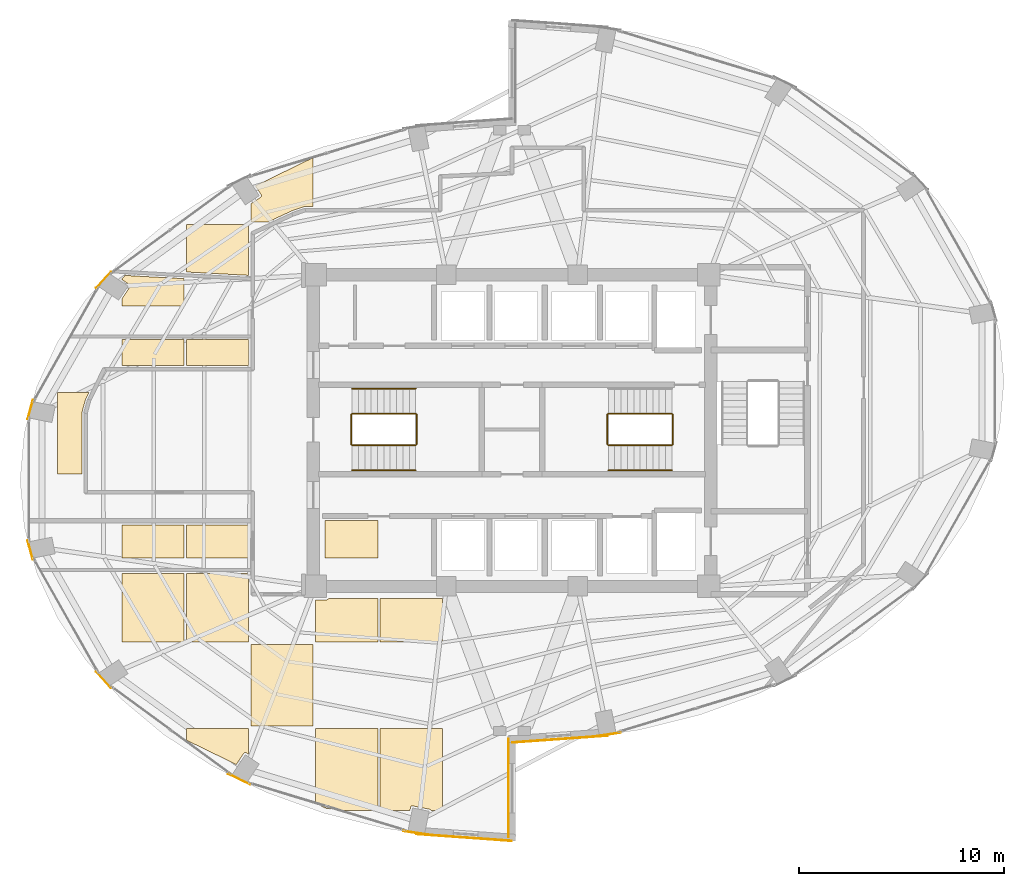
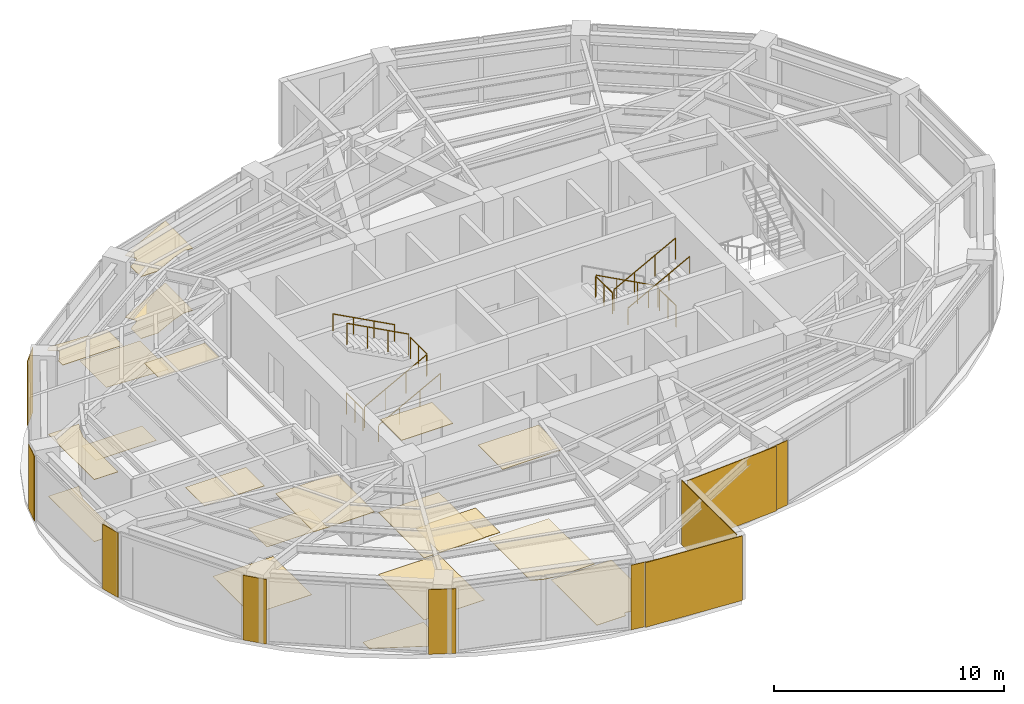
# One storey, part 19 of 20: 30 coverings, 11 railings.
"""IFC4 building model written with IfcOpenShell, lengths in metres."""

from ifc_helpers import new_model, si_unit, direction, frame, origin, origin_2d, place, context, subcontext, project, spatial, polyline, rectangle, circle, outline, extrude, material, layer, layer_set, type_object, element, save


model = new_model("IFC4")

# Units and contexts
model_context = context("Model", 3, precision=1e-05, world=origin(), true_north=direction((0.0, 1.0)))
body_context = subcontext(model_context, "Body", "Model", "MODEL_VIEW")
ifc_project = project(units=[si_unit("LENGTHUNIT", "METRE"), si_unit("AREAUNIT", "SQUARE_METRE"), si_unit("VOLUMEUNIT", "CUBIC_METRE"), si_unit("PLANEANGLEUNIT", "RADIAN"), si_unit("MASSUNIT", "GRAM", prefix="KILO")], contexts=[model_context])

# Site, building, storey
site_placement = place(None, origin())
site = spatial("IfcSite", under=ifc_project, at=site_placement, CompositionType="ELEMENT")
building_placement = place(site_placement, origin())
building = spatial("IfcBuilding", under=site, at=building_placement, Name="Lazwardi Medical Tower", CompositionType="ELEMENT")
storey_placement = place(building_placement, frame((0.0, 0.0, 174.76806640625)))
storey = spatial("IfcBuildingStorey", under=building, at=storey_placement, Name="L45", CompositionType="ELEMENT", Elevation=174.76806640625)

# Coverings
ifc_material_1 = material(Name="Anodised bronze aluminium cassette cladding", Category="aluminium")
ifc_layer_1 = layer(ifc_material_1, 0.030029296875)
ifc_layer_set_1 = layer_set([ifc_layer_1], Name="Anodised bronze aluminium cassette cladding")
covering_type_1 = type_object("IfcCoveringType", Name="COV-CLD-BRZ", PredefinedType="CLADDING", material=ifc_layer_set_1)
covering_1_placement = place(storey_placement, frame((40.67431640625, 13.17578125, 0.0), z_axis=(0.0, 0.0, 1.0), x_axis=(0.989539138138, 0.144264666823, 0.0)))
element("IfcCovering", 1, at=covering_1_placement, inside=storey, type_object=covering_type_1, Name="L45 Mega-column bronze cassette cover M01", PredefinedType="CLADDING", context=body_context, shape_type="SweptSolid", body=[
    extrude(rectangle(XDim=1.28515625, YDim=0.030029296875, at=origin_2d()), origin(), (0.0, 0.0, 1.0), 3.427978515625),
])
covering_2_placement = place(storey_placement, frame((16.07861328125, 35.356689453125, 0.0), z_axis=(0.0, 0.0, 1.0), x_axis=(-0.673714459537, -0.738991763832, 0.0)))
element("IfcCovering", 2, at=covering_2_placement, inside=storey, type_object=covering_type_1, Name="L45 Mega-column bronze cassette cover M11", PredefinedType="CLADDING", context=body_context, shape_type="SweptSolid", body=[
    extrude(rectangle(XDim=1.0693359375, YDim=0.030029296875, at=origin_2d()), origin(), (0.0, 0.0, 1.0), 3.427978515625),
])
for number, where, z_axis, x_axis, name in (
    (3, (12.501220703125, 29.026123046875, 0.0), (0.0, 0.0, 1.0), (-0.261828726257, -0.965114354938, 0.0), "L45 Mega-column bronze cassette cover M12"),
    (4, (12.501220703125, 22.173828125, 0.0), (0.0, 0.0, 1.0), (0.261828726257, -0.965114354938, 0.0), "L45 Mega-column bronze cassette cover M13"),
):
    element("IfcCovering", number, at=place(storey_placement, frame(where, z_axis=z_axis, x_axis=x_axis)), inside=storey, type_object=covering_type_1, Name=name, PredefinedType="CLADDING", context=body_context, shape_type="SweptSolid", body=[
        extrude(rectangle(XDim=0.9658203125, YDim=0.030029296875, at=origin_2d()), origin(), (0.0, 0.0, 1.0), 3.427978515625),
    ])
covering_3_placement = place(storey_placement, frame((16.07861328125, 15.84326171875, 0.0), z_axis=(0.0, 0.0, 1.0), x_axis=(0.673714459537, -0.738991763832, 0.0)))
element("IfcCovering", 5, at=covering_3_placement, inside=storey, type_object=covering_type_1, Name="L45 Mega-column bronze cassette cover M14", PredefinedType="CLADDING", context=body_context, shape_type="SweptSolid", body=[
    extrude(rectangle(XDim=1.0693359375, YDim=0.030029296875, at=origin_2d()), origin(), (0.0, 0.0, 1.0), 3.427978515625),
])
covering_4_placement = place(storey_placement, frame((22.68896484375, 10.998046875, 0.0), z_axis=(0.0, 0.0, 1.0), x_axis=(0.898079014814, -0.439834154144, 0.0)))
element("IfcCovering", 6, at=covering_4_placement, inside=storey, type_object=covering_type_1, Name="L45 Mega-column bronze cassette cover M15", PredefinedType="CLADDING", context=body_context, shape_type="SweptSolid", body=[
    extrude(rectangle(XDim=1.200439453125, YDim=0.030029296875, at=origin_2d()), origin(), (0.0, 0.0, 1.0), 3.427978515625),
])
covering_5_placement = place(storey_placement, frame((31.32568359375, 8.3759765625, 0.0), z_axis=(0.0, 0.0, 1.0), x_axis=(0.989539138138, -0.144264666823, 0.0)))
element("IfcCovering", 7, at=covering_5_placement, inside=storey, type_object=covering_type_1, Name="L45 Mega-column bronze cassette cover M16", PredefinedType="CLADDING", context=body_context, shape_type="SweptSolid", body=[
    extrude(rectangle(XDim=1.28515625, YDim=0.030029296875, at=origin_2d()), origin(), (0.0, 0.0, 1.0), 3.427978515625),
])
ifc_material_2 = material(Name="Turquoise glazed ceramic tilework cladding", Category="masonry")
ifc_layer_2 = layer(ifc_material_2, 0.034912109375)
ifc_layer_set_2 = layer_set([ifc_layer_2], Name="Turquoise glazed ceramic tilework cladding")
covering_type_2 = type_object("IfcCoveringType", Name="COV-CLD-TRQ", PredefinedType="CLADDING", material=ifc_layer_set_2)
covering_6_placement = place(storey_placement, frame((38.338134765625, 12.952392578125, 0.0), z_axis=(0.0, 0.0, 1.0), x_axis=(0.997414510753, 0.071863020663, 0.0)))
element("IfcCovering", 8, at=covering_6_placement, inside=storey, type_object=covering_type_2, Name="L45 Turquoise glazed ceramic tilework cladding", PredefinedType="CLADDING", context=body_context, shape_type="SweptSolid", body=[
    extrude(rectangle(XDim=4.6630859375, YDim=0.034912109375, at=origin_2d()), origin(), (0.0, 0.0, 1.0), 3.427978515625),
])
covering_7_placement = place(storey_placement, frame((33.66162109375, 8.152587890625, 0.0), z_axis=(0.0, 0.0, 1.0), x_axis=(0.997414134466, -0.071868243112, 0.0)))
element("IfcCovering", 9, at=covering_7_placement, inside=storey, type_object=covering_type_2, Name="L45 Turquoise glazed ceramic tilework cladding", PredefinedType="CLADDING", context=body_context, shape_type="SweptSolid", body=[
    extrude(rectangle(XDim=4.66259765625, YDim=0.034912109375, at=origin_2d()), origin(), (0.0, 0.0, 1.0), 3.427978515625),
])
covering_8_placement = place(storey_placement, frame((35.824462890625, 10.56005859375, 0.0), z_axis=(0.0, 0.0, 1.0), x_axis=(0.0, 1.0, 0.0)))
element("IfcCovering", 10, at=covering_8_placement, inside=storey, type_object=covering_type_2, Name="L45 Turquoise glazed ceramic tilework iwan panel", PredefinedType="CLADDING", context=body_context, shape_type="SweptSolid", body=[
    extrude(rectangle(XDim=4.800048828125, YDim=0.034912109375, at=origin_2d()), origin(), (0.0, 0.0, 1.0), 3.427978515625),
])
ifc_material_3 = material(Name="Acoustic mineral fibre tile")
ifc_layer_3 = layer(ifc_material_3, 0.02490234375)
ifc_layer_set_3 = layer_set([ifc_layer_3], Name="Acoustic mineral fibre tile")
covering_type_3 = type_object("IfcCoveringType", Name="COV-CLG-01", PredefinedType="CEILING", material=ifc_layer_set_3)
covering_9_placement = place(storey_placement, frame((0.0, 0.0, 3.282958984375)))
element("IfcCovering", 11, at=covering_9_placement, inside=storey, type_object=covering_type_3, Name="L45 Clinical Acoustic Ceiling 1", PredefinedType="CEILING", context=body_context, shape_type="SweptSolid", body=[
    extrude(outline(polyline([(15.02490234375, 25.882568359375), (15.02490234375, 28.881103515625), (15.025146484375, 28.884765625), (15.025390625, 28.8935546875), (15.026123046875, 28.90087890625), (15.02734375, 28.90966796875), (15.02880859375, 28.91650390625), (15.03076171875, 28.92529296875), (15.031494140625, 28.928955078125), (15.199462890625, 29.519775390625), (15.200439453125, 29.523193359375), (15.203125, 29.531005859375), (15.20556640625, 29.53759765625), (15.208984375, 29.545166015625), (15.210205078125, 29.548095703125), (15.362548828125, 29.862548828125), (13.822998046875, 29.862548828125), (13.822998046875, 25.882568359375), (15.02490234375, 25.882568359375)])), origin(), (0.0, 0.0, 1.0), 0.02490234375),
])
covering_10_placement = place(storey_placement, frame((0.0, 0.0, 3.282958984375)))
element("IfcCovering", 12, at=covering_10_placement, inside=storey, type_object=covering_type_3, Name="L45 Clinical Acoustic Ceiling 2", PredefinedType="CEILING", context=body_context, shape_type="SweptSolid", body=[
    extrude(outline(polyline([(20.0029296875, 23.39990234375), (16.972900390625, 23.39990234375), (16.972900390625, 21.782470703125), (20.0029296875, 21.782470703125), (20.0029296875, 23.39990234375)])), origin(), (0.0, 0.0, 1.0), 0.02490234375),
])
covering_11_placement = place(storey_placement, frame((0.0, 0.0, 3.282958984375)))
element("IfcCovering", 13, at=covering_11_placement, inside=storey, type_object=covering_type_3, Name="L45 Clinical Acoustic Ceiling 3", PredefinedType="CEILING", context=body_context, shape_type="SweptSolid", body=[
    extrude(outline(polyline([(20.0029296875, 35.41552734375), (17.121826171875, 35.572021484375), (16.972900390625, 35.408935546875), (16.972900390625, 35.371337890625), (17.34228515625, 35.124267578125), (17.348876953125, 35.11962890625), (17.3544921875, 35.114501953125), (17.35986328125, 35.1083984375), (17.364501953125, 35.102294921875), (17.36865234375, 35.095458984375), (17.371826171875, 35.08837890625), (17.37451171875, 35.0810546875), (17.37646484375, 35.073486328125), (17.377685546875, 35.065673828125), (17.3779296875, 35.057861328125), (17.377685546875, 35.050048828125), (17.37646484375, 35.042236328125), (17.37451171875, 35.03466796875), (17.371826171875, 35.027099609375), (17.36865234375, 35.02001953125), (17.364501953125, 35.013427734375), (16.972900390625, 34.42724609375), (16.972900390625, 34.08251953125), (20.0029296875, 34.08251953125), (20.0029296875, 35.41552734375)])), origin(), (0.0, 0.0, 1.0), 0.02490234375),
])
covering_12_placement = place(storey_placement, frame((0.0, 0.0, 3.282958984375)))
element("IfcCovering", 14, at=covering_12_placement, inside=storey, type_object=covering_type_3, Name="L45 Clinical Acoustic Ceiling 4", PredefinedType="CEILING", context=body_context, shape_type="SweptSolid", body=[
    extrude(outline(polyline([(23.15283203125, 21.034912109375), (20.122802734375, 21.034912109375), (20.122802734375, 17.6826171875), (23.15283203125, 17.6826171875), (23.15283203125, 21.034912109375)])), origin(), (0.0, 0.0, 1.0), 0.02490234375),
])
covering_13_placement = place(storey_placement, frame((0.0, 0.0, 3.282958984375)))
element("IfcCovering", 15, at=covering_13_placement, inside=storey, type_object=covering_type_3, Name="L45 Clinical Acoustic Ceiling 5", PredefinedType="CEILING", context=body_context, shape_type="SweptSolid", body=[
    extrude(outline(polyline([(23.15283203125, 32.43505859375), (20.122802734375, 32.43505859375), (20.122802734375, 31.175048828125), (23.15283203125, 31.175048828125), (23.15283203125, 32.43505859375)])), origin(), (0.0, 0.0, 1.0), 0.02490234375),
])
covering_14_placement = place(storey_placement, frame((0.0, 0.0, 3.282958984375)))
element("IfcCovering", 16, at=covering_14_placement, inside=storey, type_object=covering_type_3, Name="L45 Clinical Acoustic Ceiling 6", PredefinedType="CEILING", context=body_context, shape_type="SweptSolid", body=[
    extrude(outline(polyline([(26.302978515625, 13.58251953125), (26.302978515625, 17.5625), (23.27294921875, 17.5625), (23.27294921875, 13.58251953125), (26.302978515625, 13.58251953125)])), origin(), (0.0, 0.0, 1.0), 0.02490234375),
])
covering_15_placement = place(storey_placement, frame((0.0, 0.0, 3.282958984375)))
element("IfcCovering", 17, at=covering_15_placement, inside=storey, type_object=covering_type_3, Name="L45 Clinical Acoustic Ceiling 7", PredefinedType="CEILING", context=body_context, shape_type="SweptSolid", body=[
    extrude(outline(polyline([(26.302978515625, 41.32080078125), (23.476318359375, 39.939453125), (23.76806640625, 39.5029296875), (23.772216796875, 39.49609375), (23.775390625, 39.489013671875), (23.7783203125, 39.481689453125), (23.780029296875, 39.47412109375), (23.78125, 39.46630859375), (23.781494140625, 39.45849609375), (23.78125, 39.45068359375), (23.780029296875, 39.44287109375), (23.7783203125, 39.435302734375), (23.775390625, 39.427734375), (23.772216796875, 39.420654296875), (23.76806640625, 39.4140625), (23.763427734375, 39.40771484375), (23.75830078125, 39.40185546875), (23.75244140625, 39.396484375), (23.74609375, 39.391845703125), (23.27294921875, 39.07568359375), (23.27294921875, 38.1826171875), (24.109619140625, 38.1826171875), (25.245849609375, 38.714111328125), (25.24951171875, 38.7158203125), (25.2587890625, 38.719482421875), (25.262939453125, 38.72119140625), (25.825439453125, 38.915283203125), (25.82958984375, 38.916748046875), (25.83984375, 38.919677734375), (25.848876953125, 38.921630859375), (25.859130859375, 38.92333984375), (25.867431640625, 38.92431640625), (25.8779296875, 38.9248046875), (25.882568359375, 38.925048828125), (26.302978515625, 38.925048828125), (26.302978515625, 41.32080078125)])), origin(), (0.0, 0.0, 1.0), 0.02490234375),
])
covering_16_placement = place(storey_placement, frame((0.0, 0.0, 3.282958984375)))
element("IfcCovering", 18, at=covering_16_placement, inside=storey, type_object=covering_type_3, Name="L45 Clinical Acoustic Ceiling 8", PredefinedType="CEILING", context=body_context, shape_type="SweptSolid", body=[
    extrude(outline(polyline([(26.4228515625, 9.820556640625), (26.908447265625, 9.58349609375), (27.60205078125, 9.482421875), (29.452880859375, 9.482421875), (29.452880859375, 13.46240234375), (26.4228515625, 13.46240234375), (26.4228515625, 9.820556640625)])), origin(), (0.0, 0.0, 1.0), 0.02490234375),
])
covering_17_placement = place(storey_placement, frame((0.0, 0.0, 3.282958984375)))
element("IfcCovering", 19, at=covering_17_placement, inside=storey, type_object=covering_type_3, Name="L45 Clinical Acoustic Ceiling 9", PredefinedType="CEILING", context=body_context, shape_type="SweptSolid", body=[
    extrude(outline(polyline([(29.452880859375, 23.6201171875), (26.8798828125, 23.6201171875), (26.8798828125, 21.782470703125), (29.452880859375, 21.782470703125), (29.452880859375, 23.6201171875)])), origin(), (0.0, 0.0, 1.0), 0.02490234375),
])
covering_18_placement = place(storey_placement, frame((0.0, 0.0, 3.282958984375)))
element("IfcCovering", 20, at=covering_18_placement, inside=storey, type_object=covering_type_3, Name="L45 Clinical Acoustic Ceiling 10", PredefinedType="CEILING", context=body_context, shape_type="SweptSolid", body=[
    extrude(outline(polyline([(32.602783203125, 19.820068359375), (29.572998046875, 19.820068359375), (29.572998046875, 17.6826171875), (32.602783203125, 17.6826171875), (32.602783203125, 19.820068359375)])), origin(), (0.0, 0.0, 1.0), 0.02490234375),
])
ifc_material_4 = material(Name="Anti-static hospital vinyl sheet flooring")
ifc_layer_4 = layer(ifc_material_4, 0.014892578125)
ifc_layer_set_4 = layer_set([ifc_layer_4], Name="Anti-static hospital vinyl sheet flooring")
covering_type_4 = type_object("IfcCoveringType", Name="COV-FLR-01", PredefinedType="FLOORING", material=ifc_layer_set_4)
covering_19_placement = place(storey_placement, origin())
element("IfcCovering", 21, at=covering_19_placement, inside=storey, type_object=covering_type_4, Name="L45 Clinical Vinyl Flooring 1", PredefinedType="FLOORING", context=body_context, shape_type="SweptSolid", body=[
    extrude(outline(polyline([(15.02490234375, 25.882568359375), (15.02490234375, 28.881103515625), (15.025146484375, 28.884765625), (15.025390625, 28.8935546875), (15.026123046875, 28.90087890625), (15.02734375, 28.90966796875), (15.02880859375, 28.91650390625), (15.03076171875, 28.92529296875), (15.031494140625, 28.928955078125), (15.199462890625, 29.519775390625), (15.200439453125, 29.523193359375), (15.203125, 29.531005859375), (15.20556640625, 29.53759765625), (15.208984375, 29.545166015625), (15.210205078125, 29.548095703125), (15.362548828125, 29.862548828125), (13.822998046875, 29.862548828125), (13.822998046875, 25.882568359375), (15.02490234375, 25.882568359375)])), origin(), (0.0, 0.0, 1.0), 0.014892578125),
])
covering_20_placement = place(storey_placement, origin())
element("IfcCovering", 22, at=covering_20_placement, inside=storey, type_object=covering_type_4, Name="L45 Clinical Vinyl Flooring 2", PredefinedType="FLOORING", context=body_context, shape_type="SweptSolid", body=[
    extrude(outline(polyline([(20.0029296875, 21.034912109375), (16.972900390625, 21.034912109375), (16.972900390625, 17.6826171875), (20.0029296875, 17.6826171875), (20.0029296875, 21.034912109375)])), origin(), (0.0, 0.0, 1.0), 0.014892578125),
])
covering_21_placement = place(storey_placement, origin())
element("IfcCovering", 23, at=covering_21_placement, inside=storey, type_object=covering_type_4, Name="L45 Clinical Vinyl Flooring 3", PredefinedType="FLOORING", context=body_context, shape_type="SweptSolid", body=[
    extrude(outline(polyline([(20.0029296875, 32.43505859375), (16.972900390625, 32.43505859375), (16.972900390625, 31.175048828125), (20.0029296875, 31.175048828125), (20.0029296875, 32.43505859375)])), origin(), (0.0, 0.0, 1.0), 0.014892578125),
])
covering_22_placement = place(storey_placement, origin())
element("IfcCovering", 24, at=covering_22_placement, inside=storey, type_object=covering_type_4, Name="L45 Clinical Vinyl Flooring 4", PredefinedType="FLOORING", context=body_context, shape_type="SweptSolid", body=[
    extrude(outline(polyline([(20.122802734375, 12.899169921875), (22.551513671875, 11.71240234375), (22.919921875, 12.263916015625), (22.9248046875, 12.27001953125), (22.929931640625, 12.27587890625), (22.935791015625, 12.28125), (22.942138671875, 12.285888671875), (22.94873046875, 12.2900390625), (22.955810546875, 12.293212890625), (22.96337890625, 12.2958984375), (22.970947265625, 12.2978515625), (22.978759765625, 12.299072265625), (22.986572265625, 12.29931640625), (22.994384765625, 12.299072265625), (23.002197265625, 12.2978515625), (23.009765625, 12.2958984375), (23.01708984375, 12.293212890625), (23.024169921875, 12.2900390625), (23.031005859375, 12.285888671875), (23.15283203125, 12.204345703125), (23.15283203125, 13.46240234375), (20.122802734375, 13.46240234375), (20.122802734375, 12.899169921875)])), origin(), (0.0, 0.0, 1.0), 0.014892578125),
])
covering_23_placement = place(storey_placement, origin())
element("IfcCovering", 25, at=covering_23_placement, inside=storey, type_object=covering_type_4, Name="L45 Clinical Vinyl Flooring 5", PredefinedType="FLOORING", context=body_context, shape_type="SweptSolid", body=[
    extrude(outline(polyline([(23.15283203125, 23.39990234375), (20.122802734375, 23.39990234375), (20.122802734375, 21.782470703125), (23.15283203125, 21.782470703125), (23.15283203125, 23.39990234375)])), origin(), (0.0, 0.0, 1.0), 0.014892578125),
])
covering_24_placement = place(storey_placement, origin())
element("IfcCovering", 26, at=covering_24_placement, inside=storey, type_object=covering_type_4, Name="L45 Clinical Vinyl Flooring 6", PredefinedType="FLOORING", context=body_context, shape_type="SweptSolid", body=[
    extrude(outline(polyline([(20.122802734375, 35.739501953125), (23.15283203125, 35.5751953125), (23.15283203125, 38.0625), (20.122802734375, 38.0625), (20.122802734375, 35.739501953125)])), origin(), (0.0, 0.0, 1.0), 0.014892578125),
])
covering_25_placement = place(storey_placement, origin())
element("IfcCovering", 27, at=covering_25_placement, inside=storey, type_object=covering_type_4, Name="L45 Clinical Vinyl Flooring 7", PredefinedType="FLOORING", context=body_context, shape_type="SweptSolid", body=[
    extrude(outline(polyline([(26.302978515625, 13.58251953125), (26.302978515625, 17.5625), (23.27294921875, 17.5625), (23.27294921875, 13.58251953125), (26.302978515625, 13.58251953125)])), origin(), (0.0, 0.0, 1.0), 0.014892578125),
])
covering_26_placement = place(storey_placement, origin())
element("IfcCovering", 28, at=covering_26_placement, inside=storey, type_object=covering_type_4, Name="L45 Clinical Vinyl Flooring 8", PredefinedType="FLOORING", context=body_context, shape_type="SweptSolid", body=[
    extrude(outline(polyline([(26.302978515625, 41.32080078125), (23.476318359375, 39.939453125), (23.76806640625, 39.5029296875), (23.772216796875, 39.49609375), (23.775390625, 39.489013671875), (23.7783203125, 39.481689453125), (23.780029296875, 39.47412109375), (23.78125, 39.46630859375), (23.781494140625, 39.45849609375), (23.78125, 39.45068359375), (23.780029296875, 39.44287109375), (23.7783203125, 39.435302734375), (23.775390625, 39.427734375), (23.772216796875, 39.420654296875), (23.76806640625, 39.4140625), (23.763427734375, 39.40771484375), (23.75830078125, 39.40185546875), (23.75244140625, 39.396484375), (23.74609375, 39.391845703125), (23.27294921875, 39.07568359375), (23.27294921875, 38.1826171875), (24.109619140625, 38.1826171875), (25.245849609375, 38.714111328125), (25.24951171875, 38.7158203125), (25.2587890625, 38.719482421875), (25.262939453125, 38.72119140625), (25.825439453125, 38.915283203125), (25.82958984375, 38.916748046875), (25.83984375, 38.919677734375), (25.848876953125, 38.921630859375), (25.859130859375, 38.92333984375), (25.867431640625, 38.92431640625), (25.8779296875, 38.9248046875), (25.882568359375, 38.925048828125), (26.302978515625, 38.925048828125), (26.302978515625, 41.32080078125)])), origin(), (0.0, 0.0, 1.0), 0.014892578125),
])
covering_27_placement = place(storey_placement, origin())
element("IfcCovering", 29, at=covering_27_placement, inside=storey, type_object=covering_type_4, Name="L45 Clinical Vinyl Flooring 9", PredefinedType="FLOORING", context=body_context, shape_type="SweptSolid", body=[
    extrude(outline(polyline([(29.452880859375, 19.820068359375), (27.04931640625, 19.820068359375), (27.048583984375, 19.814453125), (27.046630859375, 19.806884765625), (27.0439453125, 19.79931640625), (27.04052734375, 19.792236328125), (27.03662109375, 19.78564453125), (27.03173828125, 19.779296875), (27.026611328125, 19.7734375), (27.020751953125, 19.768310546875), (27.014404296875, 19.763427734375), (27.0078125, 19.759521484375), (27.00048828125, 19.756103515625), (26.9931640625, 19.75341796875), (26.985595703125, 19.75146484375), (26.977783203125, 19.75048828125), (26.969970703125, 19.75), (26.4228515625, 19.75), (26.4228515625, 17.6826171875), (29.452880859375, 17.6826171875), (29.452880859375, 19.820068359375)])), origin(), (0.0, 0.0, 1.0), 0.014892578125),
])
covering_28_placement = place(storey_placement, origin())
element("IfcCovering", 30, at=covering_28_placement, inside=storey, type_object=covering_type_4, Name="L45 Clinical Vinyl Flooring 10", PredefinedType="FLOORING", context=body_context, shape_type="SweptSolid", body=[
    extrude(outline(polyline([(31.025390625, 9.482421875), (31.0556640625, 9.63427734375), (31.0576171875, 9.641845703125), (31.060302734375, 9.6494140625), (31.0634765625, 9.656494140625), (31.067626953125, 9.6630859375), (31.072265625, 9.66943359375), (31.077392578125, 9.67529296875), (31.083251953125, 9.680419921875), (31.089599609375, 9.685302734375), (31.096435546875, 9.689208984375), (31.103515625, 9.692626953125), (31.11083984375, 9.6953125), (31.118408203125, 9.697265625), (31.126220703125, 9.6982421875), (31.134033203125, 9.69873046875), (31.141845703125, 9.6982421875), (31.149658203125, 9.697265625), (31.9931640625, 9.529296875), (32.000732421875, 9.527587890625), (32.00830078125, 9.52490234375), (32.015380859375, 9.521484375), (32.02197265625, 9.517333984375), (32.0283203125, 9.5126953125), (32.0341796875, 9.507568359375), (32.039306640625, 9.501708984375), (32.044189453125, 9.495361328125), (32.048095703125, 9.488525390625), (32.051025390625, 9.482421875), (32.602783203125, 9.482421875), (32.602783203125, 13.46240234375), (29.572998046875, 13.46240234375), (29.572998046875, 9.482421875), (31.025390625, 9.482421875)])), origin(), (0.0, 0.0, 1.0), 0.014892578125),
])

# Railings
ifc_material_5 = material(Name="Stainless steel Grade 316", Category="steel")
railing_type_1 = type_object("IfcRailingType", Name="RLG-GRD-1150", PredefinedType="GUARDRAIL", material=ifc_material_5)
railing_1_placement = place(storey_placement, frame((28.199951171875, 27.2900390625, 0.165771484375)))
element("IfcRailing", 31, at=railing_1_placement, inside=storey, type_object=railing_type_1, Name="L45 ST1 stair guard 1", PredefinedType="GUARDRAIL", context=body_context, shape_type="SweptSolid", body=[
    extrude(circle(Radius=0.02392578125, at=origin_2d()), frame((0.0, 0.0, 1.1259765625), z_axis=(0.881783298633, 0.0, 0.471654761719), x_axis=(0.0, 1.0, 0.0)), (0.0, 0.0, 1.0), 3.515625),
    extrude(circle(Radius=0.02099609375, at=origin_2d()), origin(), (0.0, 0.0, 1.0), 1.099853515625),
    extrude(circle(Radius=0.02099609375, at=origin_2d()), frame((1.033447265625, 0.0, 0.552734375)), (0.0, 0.0, 1.0), 1.099853515625),
    extrude(circle(Radius=0.02099609375, at=origin_2d()), frame((2.066650390625, 0.0, 1.10546875)), (0.0, 0.0, 1.0), 1.099853515625),
    extrude(circle(Radius=0.02099609375, at=origin_2d()), frame((3.10009765625, 0.0, 1.658203125)), (0.0, 0.0, 1.0), 1.099853515625),
])
railing_2_placement = place(storey_placement, frame((31.35009765625, 27.340087890625, 1.823974609375)))
element("IfcRailing", 32, at=railing_2_placement, inside=storey, type_object=railing_type_1, Name="L45 ST1 stair guard 2", PredefinedType="GUARDRAIL", context=body_context, shape_type="SweptSolid", body=[
    extrude(circle(Radius=0.02392578125, at=origin_2d()), frame((0.0, 0.0, 1.1259765625), z_axis=(0.0, 1.0, 0.0), x_axis=(-1.0, 0.0, 0.0)), (0.0, 0.0, 1.0), 1.43994140625),
    extrude(circle(Radius=0.02099609375, at=origin_2d()), origin(), (0.0, 0.0, 1.0), 1.099853515625),
    extrude(circle(Radius=0.02099609375, at=origin_2d()), frame((0.0, 0.719970703125, 0.0)), (0.0, 0.0, 1.0), 1.099853515625),
    extrude(circle(Radius=0.02099609375, at=origin_2d()), frame((0.0, 1.43994140625, 0.0)), (0.0, 0.0, 1.0), 1.099853515625),
])
railing_3_placement = place(storey_placement, frame((31.300048828125, 28.830078125, 1.98974609375)))
element("IfcRailing", 33, at=railing_3_placement, inside=storey, type_object=railing_type_1, Name="L45 ST1 stair guard 3", PredefinedType="GUARDRAIL", context=body_context, shape_type="SweptSolid", body=[
    extrude(circle(Radius=0.02392578125, at=origin_2d()), frame((0.0, 0.0, 1.1259765625), z_axis=(-0.881783298633, 0.0, 0.471654761719), x_axis=(0.0, -1.0, 0.0)), (0.0, 0.0, 1.0), 3.515625),
    extrude(circle(Radius=0.02099609375, at=origin_2d()), origin(), (0.0, 0.0, 1.0), 1.099853515625),
    extrude(circle(Radius=0.02099609375, at=origin_2d()), frame((-1.033447265625, 0.0, 0.552734375)), (0.0, 0.0, 1.0), 1.099853515625),
    extrude(circle(Radius=0.02099609375, at=origin_2d()), frame((-2.066650390625, 0.0, 1.10546875)), (0.0, 0.0, 1.0), 1.099853515625),
    extrude(circle(Radius=0.02099609375, at=origin_2d()), frame((-3.10009765625, 0.0, 1.658203125)), (0.0, 0.0, 1.0), 1.099853515625),
])
railing_4_placement = place(storey_placement, frame((28.14990234375, 27.340087890625, 0.0)))
element("IfcRailing", 34, at=railing_4_placement, inside=storey, type_object=railing_type_1, Name="L45 ST1 stair guard 4", PredefinedType="GUARDRAIL", context=body_context, shape_type="SweptSolid", body=[
    extrude(circle(Radius=0.02392578125, at=origin_2d()), frame((0.0, 0.0, 1.1259765625), z_axis=(0.0, 1.0, 0.0), x_axis=(-1.0, 0.0, 0.0)), (0.0, 0.0, 1.0), 1.43994140625),
    extrude(circle(Radius=0.02099609375, at=origin_2d()), origin(), (0.0, 0.0, 1.0), 1.099853515625),
    extrude(circle(Radius=0.02099609375, at=origin_2d()), frame((0.0, 0.719970703125, 0.0)), (0.0, 0.0, 1.0), 1.099853515625),
    extrude(circle(Radius=0.02099609375, at=origin_2d()), frame((0.0, 1.43994140625, 0.0)), (0.0, 0.0, 1.0), 1.099853515625),
])
railing_5_placement = place(storey_placement, frame((43.800048828125, 28.830078125, 0.165771484375)))
element("IfcRailing", 35, at=railing_5_placement, inside=storey, type_object=railing_type_1, Name="L45 ST2 stair guard 1", PredefinedType="GUARDRAIL", context=body_context, shape_type="SweptSolid", body=[
    extrude(circle(Radius=0.02392578125, at=origin_2d()), frame((0.0, 0.0, 1.1259765625), z_axis=(-0.881783298633, 0.0, 0.471654761719), x_axis=(0.0, -1.0, 0.0)), (0.0, 0.0, 1.0), 3.515625),
    extrude(circle(Radius=0.02099609375, at=origin_2d()), origin(), (0.0, 0.0, 1.0), 1.099853515625),
    extrude(circle(Radius=0.02099609375, at=origin_2d()), frame((-1.033447265625, 0.0, 0.552734375)), (0.0, 0.0, 1.0), 1.099853515625),
    extrude(circle(Radius=0.02099609375, at=origin_2d()), frame((-2.066650390625, 0.0, 1.10546875)), (0.0, 0.0, 1.0), 1.099853515625),
    extrude(circle(Radius=0.02099609375, at=origin_2d()), frame((-3.10009765625, 0.0, 1.658203125)), (0.0, 0.0, 1.0), 1.099853515625),
])
railing_6_placement = place(storey_placement, frame((40.64990234375, 28.780029296875, 1.823974609375)))
element("IfcRailing", 36, at=railing_6_placement, inside=storey, type_object=railing_type_1, Name="L45 ST2 stair guard 2", PredefinedType="GUARDRAIL", context=body_context, shape_type="SweptSolid", body=[
    extrude(circle(Radius=0.02392578125, at=origin_2d()), frame((0.0, 0.0, 1.1259765625), z_axis=(0.0, -1.0, 0.0), x_axis=(1.0, 0.0, 0.0)), (0.0, 0.0, 1.0), 1.43994140625),
    extrude(circle(Radius=0.02099609375, at=origin_2d()), origin(), (0.0, 0.0, 1.0), 1.099853515625),
    extrude(circle(Radius=0.02099609375, at=origin_2d()), frame((0.0, -0.719970703125, 0.0)), (0.0, 0.0, 1.0), 1.099853515625),
    extrude(circle(Radius=0.02099609375, at=origin_2d()), frame((0.0, -1.43994140625, 0.0)), (0.0, 0.0, 1.0), 1.099853515625),
])
railing_7_placement = place(storey_placement, frame((40.699951171875, 27.2900390625, 1.98974609375)))
element("IfcRailing", 37, at=railing_7_placement, inside=storey, type_object=railing_type_1, Name="L45 ST2 stair guard 3", PredefinedType="GUARDRAIL", context=body_context, shape_type="SweptSolid", body=[
    extrude(circle(Radius=0.02392578125, at=origin_2d()), frame((0.0, 0.0, 1.1259765625), z_axis=(0.881783298633, 0.0, 0.471654761719), x_axis=(0.0, 1.0, 0.0)), (0.0, 0.0, 1.0), 3.515625),
    extrude(circle(Radius=0.02099609375, at=origin_2d()), origin(), (0.0, 0.0, 1.0), 1.099853515625),
    extrude(circle(Radius=0.02099609375, at=origin_2d()), frame((1.033447265625, 0.0, 0.552734375)), (0.0, 0.0, 1.0), 1.099853515625),
    extrude(circle(Radius=0.02099609375, at=origin_2d()), frame((2.066650390625, 0.0, 1.10546875)), (0.0, 0.0, 1.0), 1.099853515625),
    extrude(circle(Radius=0.02099609375, at=origin_2d()), frame((3.10009765625, 0.0, 1.658203125)), (0.0, 0.0, 1.0), 1.099853515625),
])
railing_8_placement = place(storey_placement, frame((43.85009765625, 28.780029296875, 0.0)))
element("IfcRailing", 38, at=railing_8_placement, inside=storey, type_object=railing_type_1, Name="L45 ST2 stair guard 4", PredefinedType="GUARDRAIL", context=body_context, shape_type="SweptSolid", body=[
    extrude(circle(Radius=0.02392578125, at=origin_2d()), frame((0.0, 0.0, 1.1259765625), z_axis=(0.0, -1.0, 0.0), x_axis=(1.0, 0.0, 0.0)), (0.0, 0.0, 1.0), 1.43994140625),
    extrude(circle(Radius=0.02099609375, at=origin_2d()), origin(), (0.0, 0.0, 1.0), 1.099853515625),
    extrude(circle(Radius=0.02099609375, at=origin_2d()), frame((0.0, -0.719970703125, 0.0)), (0.0, 0.0, 1.0), 1.099853515625),
    extrude(circle(Radius=0.02099609375, at=origin_2d()), frame((0.0, -1.43994140625, 0.0)), (0.0, 0.0, 1.0), 1.099853515625),
])
railing_type_2 = type_object("IfcRailingType", Name="RLG-HND-920", PredefinedType="HANDRAIL", material=ifc_material_5)
railing_9_placement = place(storey_placement, frame((28.199951171875, 26.070068359375, 0.165771484375)))
element("IfcRailing", 39, at=railing_9_placement, inside=storey, type_object=railing_type_2, Name="L45 ST1 stair handrail 1", PredefinedType="HANDRAIL", context=body_context, shape_type="SweptSolid", body=[
    extrude(circle(Radius=0.02392578125, at=origin_2d()), frame((0.0, 0.0, 0.8857421875), z_axis=(0.881783298633, 0.0, 0.471654761719), x_axis=(0.0, 1.0, 0.0)), (0.0, 0.0, 1.0), 3.515625),
    extrude(circle(Radius=0.02099609375, at=origin_2d()), origin(), (0.0, 0.0, 1.0), 0.85986328125),
    extrude(circle(Radius=0.02099609375, at=origin_2d()), frame((1.033447265625, 0.0, 0.552734375)), (0.0, 0.0, 1.0), 0.85986328125),
    extrude(circle(Radius=0.02099609375, at=origin_2d()), frame((2.066650390625, 0.0, 1.10546875)), (0.0, 0.0, 1.0), 0.85986328125),
    extrude(circle(Radius=0.02099609375, at=origin_2d()), frame((3.10009765625, 0.0, 1.658203125)), (0.0, 0.0, 1.0), 0.85986328125),
])
railing_10_placement = place(storey_placement, frame((31.300048828125, 30.050048828125, 1.98974609375)))
element("IfcRailing", 40, at=railing_10_placement, inside=storey, type_object=railing_type_2, Name="L45 ST1 stair handrail 2", PredefinedType="HANDRAIL", context=body_context, shape_type="SweptSolid", body=[
    extrude(circle(Radius=0.02392578125, at=origin_2d()), frame((0.0, 0.0, 0.8857421875), z_axis=(-0.881783298633, 0.0, 0.471654761719), x_axis=(0.0, -1.0, 0.0)), (0.0, 0.0, 1.0), 3.515625),
    extrude(circle(Radius=0.02099609375, at=origin_2d()), origin(), (0.0, 0.0, 1.0), 0.85986328125),
    extrude(circle(Radius=0.02099609375, at=origin_2d()), frame((-1.033447265625, 0.0, 0.552734375)), (0.0, 0.0, 1.0), 0.85986328125),
    extrude(circle(Radius=0.02099609375, at=origin_2d()), frame((-2.066650390625, 0.0, 1.10546875)), (0.0, 0.0, 1.0), 0.85986328125),
    extrude(circle(Radius=0.02099609375, at=origin_2d()), frame((-3.10009765625, 0.0, 1.658203125)), (0.0, 0.0, 1.0), 0.85986328125),
])
railing_11_placement = place(storey_placement, frame((40.699951171875, 26.070068359375, 1.98974609375)))
element("IfcRailing", 41, at=railing_11_placement, inside=storey, type_object=railing_type_2, Name="L45 ST2 stair handrail 2", PredefinedType="HANDRAIL", context=body_context, shape_type="SweptSolid", body=[
    extrude(circle(Radius=0.02392578125, at=origin_2d()), frame((0.0, 0.0, 0.8857421875), z_axis=(0.881783298633, 0.0, 0.471654761719), x_axis=(0.0, 1.0, 0.0)), (0.0, 0.0, 1.0), 3.515625),
    extrude(circle(Radius=0.02099609375, at=origin_2d()), origin(), (0.0, 0.0, 1.0), 0.85986328125),
    extrude(circle(Radius=0.02099609375, at=origin_2d()), frame((1.033447265625, 0.0, 0.552734375)), (0.0, 0.0, 1.0), 0.85986328125),
    extrude(circle(Radius=0.02099609375, at=origin_2d()), frame((2.066650390625, 0.0, 1.10546875)), (0.0, 0.0, 1.0), 0.85986328125),
    extrude(circle(Radius=0.02099609375, at=origin_2d()), frame((3.10009765625, 0.0, 1.658203125)), (0.0, 0.0, 1.0), 0.85986328125),
])

save(model, "model.ifc")
